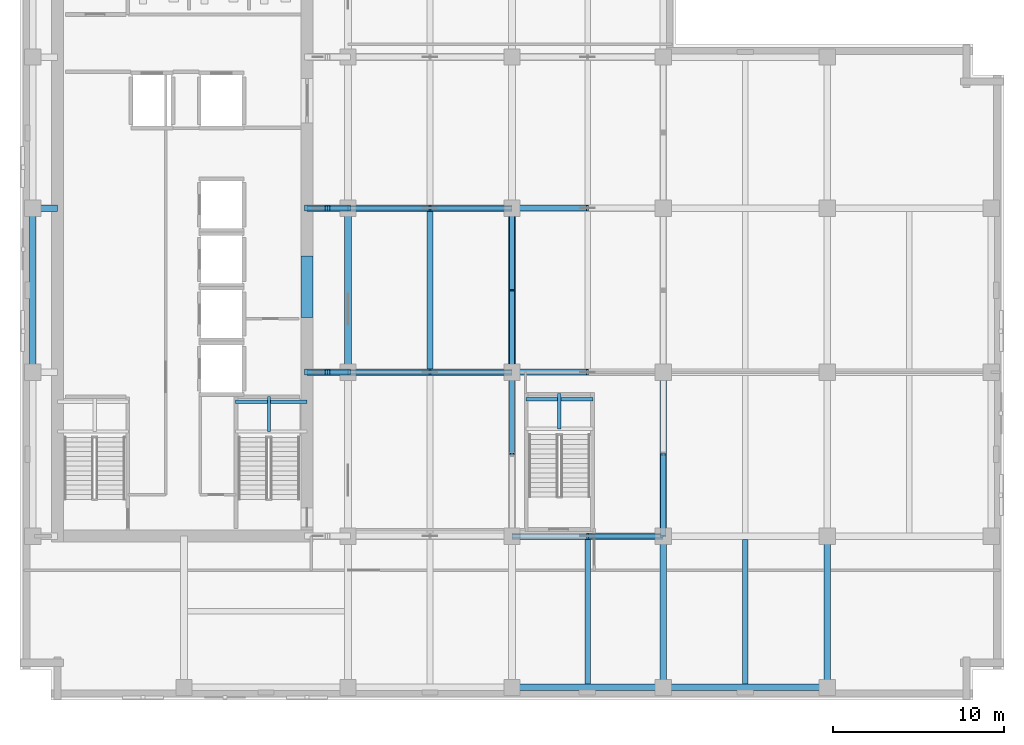
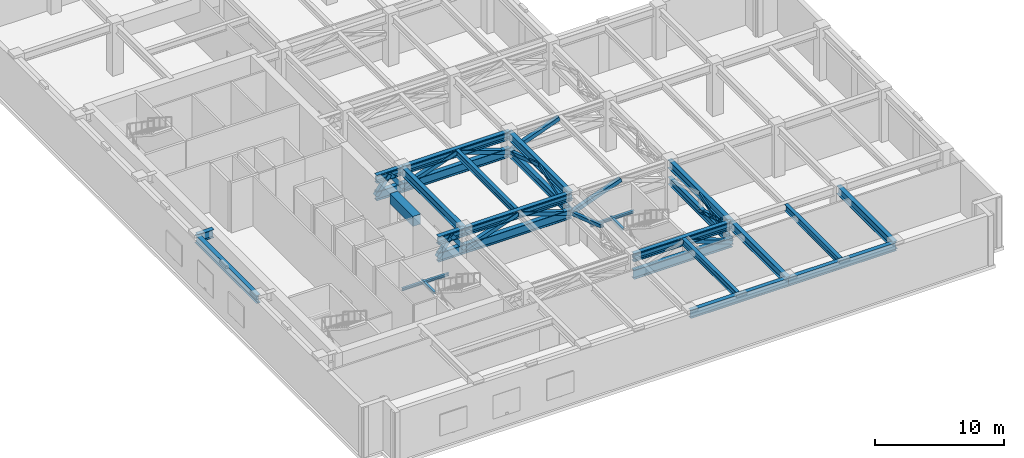
# One storey, part 3 of 21: 29 beams, 21 members.
"""IFC4 building model written with IfcOpenShell, lengths in metres."""

from ifc_helpers import new_model, si_unit, direction, frame, origin, origin_2d, place, context, subcontext, project, spatial, rectangle, hollow_rectangle, i_section, extrude, material, material_profile, profile_set, type_object, element, save


model = new_model("IFC4")

# Units and contexts
model_context = context("Model", 3, precision=1e-05, world=origin(), true_north=direction((0.0, 1.0)))
body_context = subcontext(model_context, "Body", "Model", "MODEL_VIEW")
ifc_project = project(units=[si_unit("LENGTHUNIT", "METRE"), si_unit("AREAUNIT", "SQUARE_METRE"), si_unit("VOLUMEUNIT", "CUBIC_METRE"), si_unit("PLANEANGLEUNIT", "RADIAN"), si_unit("MASSUNIT", "GRAM", prefix="KILO")], contexts=[model_context])

# Site, building, storey
site_placement = place(None, origin())
site = spatial("IfcSite", under=ifc_project, at=site_placement, CompositionType="ELEMENT")
building_placement = place(site_placement, origin())
building = spatial("IfcBuilding", under=site, at=building_placement, Name="Norrvale University Quadrangle", CompositionType="ELEMENT")
storey_placement = place(building_placement, frame((0.0, 0.0, 194.0)))
storey = spatial("IfcBuildingStorey", under=building, at=storey_placement, Name="L49", CompositionType="ELEMENT", Elevation=194.0)

# Beams
ifc_material_1 = material(Name="Steel 350W", Category="steel")
ifc_material_profile_1 = material_profile(ifc_material_1, i_section(OverallWidth=0.324951171875, OverallDepth=0.615966796875, WebThickness=0.013916015625, FlangeThickness=0.021484375, FilletRadius=0.01611328125, at=origin_2d()), Name="Steel 350W")
ifc_profile_set_1 = profile_set([ifc_material_profile_1], Name="Steel 350W")
beam_type_1 = type_object("IfcBeamType", Name="Beam Belt W610x174", PredefinedType="BEAM", material=ifc_profile_set_1)
beam_1_placement = place(storey_placement, frame((24.0, 19.390380859375, 4.431884765625), z_axis=(0.0, 1.0, 0.0), x_axis=(-1.0, 0.0, 0.0)))
element("IfcBeam", 1, at=beam_1_placement, inside=storey, type_object=beam_type_1, Name="Beam Belt W610x174 BM-L49-J071", PredefinedType="BEAM", context=body_context, shape_type="SweptSolid", body=[
    extrude(i_section(OverallWidth=0.324951171875, OverallDepth=0.615966796875, WebThickness=0.013916015625, FlangeThickness=0.021484375, FilletRadius=0.01611328125, at=origin_2d()), origin(), (0.0, 0.0, 1.0), 9.21923828125),
])
for number, where, z_axis, x_axis, name in (
    (2, (33.22509765625, 0.9404296875, 4.431884765625), (0.0, 1.0, 0.0), (-1.0, 0.0, 0.0), "Beam Belt W610x174 BM-L49-J076"),
    (3, (42.449951171875, 0.9404296875, 4.431884765625), (0.0, 1.0, 0.0), (-1.0, 0.0, 0.0), "Beam Belt W610x174 BM-L49-J081"),
):
    element("IfcBeam", number, at=place(storey_placement, frame(where, z_axis=z_axis, x_axis=x_axis)), inside=storey, type_object=beam_type_1, Name=name, PredefinedType="BEAM", context=body_context, shape_type="SweptSolid", body=[
        extrude(i_section(OverallWidth=0.324951171875, OverallDepth=0.615966796875, WebThickness=0.013916015625, FlangeThickness=0.021484375, FilletRadius=0.01611328125, at=origin_2d()), origin(), (0.0, 0.0, 1.0), 8.468994140625),
    ])
ifc_material_profile_2 = material_profile(ifc_material_1, i_section(OverallWidth=0.35498046875, OverallDepth=0.695068359375, WebThickness=0.015380859375, FlangeThickness=0.02490234375, FilletRadius=0.01806640625, at=origin_2d()), Name="Steel 350W")
ifc_profile_set_2 = profile_set([ifc_material_profile_2], Name="Steel 350W")
beam_type_2 = type_object("IfcBeamType", Name="Beam Belt W690x217", PredefinedType="BEAM", material=ifc_profile_set_2)
beam_2_placement = place(storey_placement, frame((37.64990234375, 9.60009765625, 2.75), z_axis=(0.0, 1.0, 0.0), x_axis=(-1.0, 0.0, 0.0)))
element("IfcBeam", 4, at=beam_2_placement, inside=storey, type_object=beam_type_2, Name="Belt Truss Chord L49-01", PredefinedType="BEAM", context=body_context, shape_type="SweptSolid", body=[
    extrude(i_section(OverallWidth=0.35498046875, OverallDepth=0.695068359375, WebThickness=0.015380859375, FlangeThickness=0.02490234375, FilletRadius=0.01806640625, at=origin_2d()), origin(), (0.0, 0.0, 1.0), 9.599853515625),
])
beam_3_placement = place(storey_placement, frame((28.800048828125, 19.199951171875, 2.75), z_axis=(0.0, 1.0, 0.0), x_axis=(-1.0, 0.0, 0.0)))
element("IfcBeam", 5, at=beam_3_placement, inside=storey, type_object=beam_type_2, Name="Belt Truss Chord L49-05", PredefinedType="BEAM", context=body_context, shape_type="SweptSolid", body=[
    extrude(i_section(OverallWidth=0.35498046875, OverallDepth=0.695068359375, WebThickness=0.015380859375, FlangeThickness=0.02490234375, FilletRadius=0.01806640625, at=origin_2d()), origin(), (0.0, 0.0, 1.0), 9.60009765625),
])
ifc_material_2 = material(Name="Concrete C80/95", Category="concrete")
ifc_material_profile_3 = material_profile(ifc_material_2, rectangle(XDim=0.699951171875, YDim=0.949951171875, at=origin_2d()), Name="Concrete C80/95")
ifc_profile_set_3 = profile_set([ifc_material_profile_3], Name="Concrete C80/95")
beam_type_3 = type_object("IfcBeamType", Name="Beam Core Link 700x950", PredefinedType="LINTEL", material=ifc_profile_set_3)
beam_4_placement = place(storey_placement, frame((16.800048828125, 22.39990234375, 4.264892578125), z_axis=(0.0, 1.0, 0.0), x_axis=(-1.0, 0.0, 0.0)))
element("IfcBeam", 6, at=beam_4_placement, inside=storey, type_object=beam_type_3, Name="Core Coupling Lintel Beam L49-1", PredefinedType="LINTEL", context=body_context, shape_type="SweptSolid", body=[
    extrude(rectangle(XDim=0.699951171875, YDim=0.949951171875, at=origin_2d()), origin(), (0.0, 0.0, 1.0), 3.60009765625),
])
ifc_material_profile_4 = material_profile(ifc_material_1, i_section(OverallWidth=0.381103515625, OverallDepth=0.77294921875, WebThickness=0.0166015625, FlangeThickness=0.027587890625, FilletRadius=0.02001953125, at=origin_2d()), Name="Steel 350W")
ifc_profile_set_4 = profile_set([ifc_material_profile_4], Name="Steel 350W")
beam_type_4 = type_object("IfcBeamType", Name="Beam Outrig W760x257", PredefinedType="BEAM", material=ifc_profile_set_4)
beam_5_placement = place(storey_placement, frame((28.800048828125, 0.75, 4.353515625), z_axis=(1.0, 0.0, 0.0), x_axis=(0.0, 1.0, 0.0)))
element("IfcBeam", 7, at=beam_5_placement, inside=storey, type_object=beam_type_4, Name="Beam Outrig W760x257 BM-L49-GX003", PredefinedType="BEAM", context=body_context, shape_type="SweptSolid", body=[
    extrude(i_section(OverallWidth=0.381103515625, OverallDepth=0.77294921875, WebThickness=0.0166015625, FlangeThickness=0.027587890625, FilletRadius=0.02001953125, at=origin_2d()), origin(), (0.0, 0.0, 1.0), 8.849853515625),
])
beam_6_placement = place(storey_placement, frame((37.64990234375, 0.75, 4.353515625), z_axis=(1.0, 0.0, 0.0), x_axis=(0.0, 1.0, 0.0)))
element("IfcBeam", 8, at=beam_6_placement, inside=storey, type_object=beam_type_4, Name="Beam Outrig W760x257 BM-L49-GX004", PredefinedType="BEAM", context=body_context, shape_type="SweptSolid", body=[
    extrude(i_section(OverallWidth=0.381103515625, OverallDepth=0.77294921875, WebThickness=0.0166015625, FlangeThickness=0.027587890625, FilletRadius=0.02001953125, at=origin_2d()), origin(), (0.0, 0.0, 1.0), 9.60009765625),
])
beam_7_placement = place(storey_placement, frame((28.800048828125, 9.60009765625, 4.353515625), z_axis=(1.0, 0.0, 0.0), x_axis=(0.0, 1.0, 0.0)))
element("IfcBeam", 9, at=beam_7_placement, inside=storey, type_object=beam_type_4, Name="Beam Outrig W760x257 BM-L49-GX006", PredefinedType="BEAM", context=body_context, shape_type="SweptSolid", body=[
    extrude(i_section(OverallWidth=0.381103515625, OverallDepth=0.77294921875, WebThickness=0.0166015625, FlangeThickness=0.027587890625, FilletRadius=0.02001953125, at=origin_2d()), origin(), (0.0, 0.0, 1.0), 8.849853515625),
])
for number, where, z_axis, x_axis, name in (
    (10, (19.199951171875, 19.199951171875, 4.353515625), (1.0, 0.0, 0.0), (0.0, 1.0, 0.0), "Beam Outrig W760x257 BM-L49-GX009"),
    (11, (19.199951171875, 28.800048828125, 4.353515625), (1.0, 0.0, 0.0), (0.0, 1.0, 0.0), "Beam Outrig W760x257 BM-L49-GX013"),
    (12, (0.75, 19.199951171875, 4.353515625), (0.0, 1.0, 0.0), (-1.0, 0.0, 0.0), "Beam Outrig W760x257 BM-L49-GY027"),
    (13, (19.199951171875, 19.199951171875, 4.353515625), (0.0, 1.0, 0.0), (-1.0, 0.0, 0.0), "Beam Outrig W760x257 BM-L49-GY034"),
    (14, (28.800048828125, 19.199951171875, 4.353515625), (0.0, 1.0, 0.0), (-1.0, 0.0, 0.0), "Beam Outrig W760x257 BM-L49-GY041"),
):
    element("IfcBeam", number, at=place(storey_placement, frame(where, z_axis=z_axis, x_axis=x_axis)), inside=storey, type_object=beam_type_4, Name=name, PredefinedType="BEAM", context=body_context, shape_type="SweptSolid", body=[
        extrude(i_section(OverallWidth=0.381103515625, OverallDepth=0.77294921875, WebThickness=0.0166015625, FlangeThickness=0.027587890625, FilletRadius=0.02001953125, at=origin_2d()), origin(), (0.0, 0.0, 1.0), 9.60009765625),
    ])
beam_8_placement = place(storey_placement, frame((37.64990234375, 0.75, 4.353515625), z_axis=(0.0, 1.0, 0.0), x_axis=(-1.0, 0.0, 0.0)))
element("IfcBeam", 15, at=beam_8_placement, inside=storey, type_object=beam_type_4, Name="Beam Outrig W760x257 BM-L49-GY046", PredefinedType="BEAM", context=body_context, shape_type="SweptSolid", body=[
    extrude(i_section(OverallWidth=0.381103515625, OverallDepth=0.77294921875, WebThickness=0.0166015625, FlangeThickness=0.027587890625, FilletRadius=0.02001953125, at=origin_2d()), origin(), (0.0, 0.0, 1.0), 8.85009765625),
])
beam_9_placement = place(storey_placement, frame((37.64990234375, 9.60009765625, 4.353515625), z_axis=(0.0, 1.0, 0.0), x_axis=(-1.0, 0.0, 0.0)))
element("IfcBeam", 16, at=beam_9_placement, inside=storey, type_object=beam_type_4, Name="Beam Outrig W760x257 BM-L49-GY047", PredefinedType="BEAM", context=body_context, shape_type="SweptSolid", body=[
    extrude(i_section(OverallWidth=0.381103515625, OverallDepth=0.77294921875, WebThickness=0.0166015625, FlangeThickness=0.027587890625, FilletRadius=0.02001953125, at=origin_2d()), origin(), (0.0, 0.0, 1.0), 9.599853515625),
])
beam_10_placement = place(storey_placement, frame((47.25, 0.75, 4.353515625), z_axis=(0.0, 1.0, 0.0), x_axis=(-1.0, 0.0, 0.0)))
element("IfcBeam", 17, at=beam_10_placement, inside=storey, type_object=beam_type_4, Name="Beam Outrig W760x257 BM-L49-GY052", PredefinedType="BEAM", context=body_context, shape_type="SweptSolid", body=[
    extrude(i_section(OverallWidth=0.381103515625, OverallDepth=0.77294921875, WebThickness=0.0166015625, FlangeThickness=0.027587890625, FilletRadius=0.02001953125, at=origin_2d()), origin(), (0.0, 0.0, 1.0), 8.85009765625),
])
beam_11_placement = place(storey_placement, frame((16.800048828125, 19.199951171875, 4.353515625), z_axis=(1.0, 0.0, 0.0), x_axis=(0.0, 1.0, 0.0)))
element("IfcBeam", 18, at=beam_11_placement, inside=storey, type_object=beam_type_4, Name="Beam Outrig W760x257 BM-L49-GCE061", PredefinedType="BEAM", context=body_context, shape_type="SweptSolid", body=[
    extrude(i_section(OverallWidth=0.381103515625, OverallDepth=0.77294921875, WebThickness=0.0166015625, FlangeThickness=0.027587890625, FilletRadius=0.02001953125, at=origin_2d()), origin(), (0.0, 0.0, 1.0), 2.39990234375),
])
beam_12_placement = place(storey_placement, frame((0.75, 28.800048828125, 4.353515625), z_axis=(1.0, 0.0, 0.0), x_axis=(0.0, 1.0, 0.0)))
element("IfcBeam", 19, at=beam_12_placement, inside=storey, type_object=beam_type_4, Name="Beam Outrig W760x257 BM-L49-GCW062", PredefinedType="BEAM", context=body_context, shape_type="SweptSolid", body=[
    extrude(i_section(OverallWidth=0.381103515625, OverallDepth=0.77294921875, WebThickness=0.0166015625, FlangeThickness=0.027587890625, FilletRadius=0.02001953125, at=origin_2d()), origin(), (0.0, 0.0, 1.0), 1.449951171875),
])
beam_13_placement = place(storey_placement, frame((16.800048828125, 28.800048828125, 4.353515625), z_axis=(1.0, 0.0, 0.0), x_axis=(0.0, 1.0, 0.0)))
element("IfcBeam", 20, at=beam_13_placement, inside=storey, type_object=beam_type_4, Name="Beam Outrig W760x257 BM-L49-GCE063", PredefinedType="BEAM", context=body_context, shape_type="SweptSolid", body=[
    extrude(i_section(OverallWidth=0.381103515625, OverallDepth=0.77294921875, WebThickness=0.0166015625, FlangeThickness=0.027587890625, FilletRadius=0.02001953125, at=origin_2d()), origin(), (0.0, 0.0, 1.0), 2.39990234375),
])
ifc_material_profile_5 = material_profile(ifc_material_1, i_section(OverallWidth=0.39990234375, OverallDepth=0.85498046875, WebThickness=0.018310546875, FlangeThickness=0.029296875, FilletRadius=0.02197265625, at=origin_2d()), Name="Steel 350W")
ifc_profile_set_5 = profile_set([ifc_material_profile_5], Name="Steel 350W")
beam_type_5 = type_object("IfcBeamType", Name="Beam Outrig W840x299", PredefinedType="BEAM", material=ifc_profile_set_5)
beam_14_placement = place(storey_placement, frame((28.800048828125, 9.60009765625, 2.75), z_axis=(1.0, 0.0, 0.0), x_axis=(0.0, 1.0, 0.0)))
element("IfcBeam", 21, at=beam_14_placement, inside=storey, type_object=beam_type_5, Name="Outrigger Bottom Chord L49-1.3", PredefinedType="BEAM", context=body_context, shape_type="SweptSolid", body=[
    extrude(i_section(OverallWidth=0.39990234375, OverallDepth=0.85498046875, WebThickness=0.018310546875, FlangeThickness=0.029296875, FilletRadius=0.02197265625, at=origin_2d()), origin(), (0.0, 0.0, 1.0), 8.849853515625),
])
beam_15_placement = place(storey_placement, frame((16.800048828125, 19.199951171875, 2.75), z_axis=(1.0, 0.0, 0.0), x_axis=(0.0, 1.0, 0.0)))
element("IfcBeam", 22, at=beam_15_placement, inside=storey, type_object=beam_type_5, Name="Outrigger Bottom Chord L49-2.1", PredefinedType="BEAM", context=body_context, shape_type="SweptSolid", body=[
    extrude(i_section(OverallWidth=0.39990234375, OverallDepth=0.85498046875, WebThickness=0.018310546875, FlangeThickness=0.029296875, FilletRadius=0.02197265625, at=origin_2d()), origin(), (0.0, 0.0, 1.0), 2.39990234375),
])
beam_16_placement = place(storey_placement, frame((19.199951171875, 19.199951171875, 2.75), z_axis=(1.0, 0.0, 0.0), x_axis=(0.0, 1.0, 0.0)))
element("IfcBeam", 23, at=beam_16_placement, inside=storey, type_object=beam_type_5, Name="Outrigger Bottom Chord L49-2.2", PredefinedType="BEAM", context=body_context, shape_type="SweptSolid", body=[
    extrude(i_section(OverallWidth=0.39990234375, OverallDepth=0.85498046875, WebThickness=0.018310546875, FlangeThickness=0.029296875, FilletRadius=0.02197265625, at=origin_2d()), origin(), (0.0, 0.0, 1.0), 9.60009765625),
])
beam_17_placement = place(storey_placement, frame((16.800048828125, 28.800048828125, 2.75), z_axis=(1.0, 0.0, 0.0), x_axis=(0.0, 1.0, 0.0)))
element("IfcBeam", 24, at=beam_17_placement, inside=storey, type_object=beam_type_5, Name="Outrigger Bottom Chord L49-3.1", PredefinedType="BEAM", context=body_context, shape_type="SweptSolid", body=[
    extrude(i_section(OverallWidth=0.39990234375, OverallDepth=0.85498046875, WebThickness=0.018310546875, FlangeThickness=0.029296875, FilletRadius=0.02197265625, at=origin_2d()), origin(), (0.0, 0.0, 1.0), 2.39990234375),
])
beam_18_placement = place(storey_placement, frame((19.199951171875, 28.800048828125, 2.75), z_axis=(1.0, 0.0, 0.0), x_axis=(0.0, 1.0, 0.0)))
element("IfcBeam", 25, at=beam_18_placement, inside=storey, type_object=beam_type_5, Name="Outrigger Bottom Chord L49-3.2", PredefinedType="BEAM", context=body_context, shape_type="SweptSolid", body=[
    extrude(i_section(OverallWidth=0.39990234375, OverallDepth=0.85498046875, WebThickness=0.018310546875, FlangeThickness=0.029296875, FilletRadius=0.02197265625, at=origin_2d()), origin(), (0.0, 0.0, 1.0), 9.60009765625),
])
ifc_material_profile_6 = material_profile(ifc_material_1, i_section(OverallWidth=0.201904296875, OverallDepth=0.2470703125, WebThickness=0.00732421875, FlangeThickness=0.010986328125, FilletRadius=0.011962890625, at=origin_2d()), Name="Steel 350W")
ifc_profile_set_6 = profile_set([ifc_material_profile_6], Name="Steel 350W")
beam_type_6 = type_object("IfcBeamType", Name="Beam Stair W250x49", PredefinedType="BEAM", material=ifc_profile_set_6)
beam_19_placement = place(storey_placement, frame((12.610107421875, 17.469970703125, 2.176513671875), z_axis=(1.0, 0.0, 0.0), x_axis=(0.0, 1.0, 0.0)))
element("IfcBeam", 26, at=beam_19_placement, inside=storey, type_object=beam_type_6, Name="Stair Mid-Landing Rear Beam ST-03 L49", PredefinedType="BEAM", context=body_context, shape_type="SweptSolid", body=[
    extrude(i_section(OverallWidth=0.201904296875, OverallDepth=0.2470703125, WebThickness=0.00732421875, FlangeThickness=0.010986328125, FilletRadius=0.011962890625, at=origin_2d()), origin(), (0.0, 0.0, 1.0), 4.18994140625),
])
beam_20_placement = place(storey_placement, frame((29.610107421875, 17.6201171875, 2.176513671875), z_axis=(1.0, 0.0, 0.0), x_axis=(0.0, 1.0, 0.0)))
element("IfcBeam", 27, at=beam_20_placement, inside=storey, type_object=beam_type_6, Name="Stair Mid-Landing Rear Beam ST-04 L49", PredefinedType="BEAM", context=body_context, shape_type="SweptSolid", body=[
    extrude(i_section(OverallWidth=0.201904296875, OverallDepth=0.2470703125, WebThickness=0.00732421875, FlangeThickness=0.010986328125, FilletRadius=0.011962890625, at=origin_2d()), origin(), (0.0, 0.0, 1.0), 3.929931640625),
])
ifc_material_profile_7 = material_profile(ifc_material_1, i_section(OverallWidth=0.202880859375, OverallDepth=0.202880859375, WebThickness=0.007080078125, FlangeThickness=0.010986328125, FilletRadius=0.010009765625, at=origin_2d()), Name="Steel 350W")
ifc_profile_set_7 = profile_set([ifc_material_profile_7], Name="Steel 350W")
beam_type_7 = type_object("IfcBeamType", Name="Beam Trim W200x46", PredefinedType="BEAM", material=ifc_profile_set_7)
for number, where, z_axis, x_axis, name in (
    (28, (14.574951171875, 15.72998046875, 2.198486328125), (0.0, 1.0, 0.0), (-1.0, 0.0, 0.0), "Stair Mid-Landing Cross Beam ST-03 L49"),
    (29, (31.574951171875, 15.8798828125, 2.198486328125), (0.0, 1.0, 0.0), (-1.0, 0.0, 0.0), "Stair Mid-Landing Cross Beam ST-04 L49"),
):
    element("IfcBeam", number, at=place(storey_placement, frame(where, z_axis=z_axis, x_axis=x_axis)), inside=storey, type_object=beam_type_7, Name=name, PredefinedType="BEAM", context=body_context, shape_type="SweptSolid", body=[
        extrude(i_section(OverallWidth=0.202880859375, OverallDepth=0.202880859375, WebThickness=0.007080078125, FlangeThickness=0.010986328125, FilletRadius=0.010009765625, at=origin_2d()), origin(), (0.0, 0.0, 1.0), 2.06005859375),
    ])

# Members
ifc_material_profile_8 = material_profile(ifc_material_1, hollow_rectangle(XDim=0.304931640625, YDim=0.304931640625, WallThickness=0.012939453125, at=origin_2d()), Name="Steel 350W")
ifc_profile_set_8 = profile_set([ifc_material_profile_8], Name="Steel 350W")
member_type_1 = type_object("IfcMemberType", Name="Member Belt Diag HSS305", PredefinedType="BRACE", material=ifc_profile_set_8)
member_1_placement = place(storey_placement, frame((37.64990234375, 9.60009765625, 2.75), z_axis=(0.0, 0.94629347716, 0.323308915874), x_axis=(-1.0, 0.0, 0.0)))
element("IfcMember", 30, at=member_1_placement, inside=storey, type_object=member_type_1, Name="Belt Truss Brace L49-01A", PredefinedType="BRACE", context=body_context, shape_type="SweptSolid", body=[
    extrude(hollow_rectangle(XDim=0.304931640625, YDim=0.304931640625, WallThickness=0.012939453125, at=origin_2d()), origin(), (0.0, 0.0, 1.0), 5.072265625),
])
for number, where, z_axis, x_axis, name in (
    (31, (28.800048828125, 19.199951171875, 2.75), (0.0, -0.946298508087, 0.32329419047), (1.0, 0.0, 0.0), "Belt Truss Brace L49-04B"),
    (32, (28.800048828125, 19.199951171875, 2.75), (0.0, 0.946298508087, 0.32329419047), (-1.0, 0.0, 0.0), "Belt Truss Brace L49-05A"),
    (33, (28.800048828125, 28.800048828125, 2.75), (0.0, -0.946298508087, 0.32329419047), (1.0, 0.0, 0.0), "Belt Truss Brace L49-05B"),
):
    element("IfcMember", number, at=place(storey_placement, frame(where, z_axis=z_axis, x_axis=x_axis)), inside=storey, type_object=member_type_1, Name=name, PredefinedType="BRACE", context=body_context, shape_type="SweptSolid", body=[
        extrude(hollow_rectangle(XDim=0.304931640625, YDim=0.304931640625, WallThickness=0.012939453125, at=origin_2d()), origin(), (0.0, 0.0, 1.0), 5.072509765625),
    ])
ifc_material_profile_9 = material_profile(ifc_material_1, hollow_rectangle(XDim=0.202880859375, YDim=0.304931640625, WallThickness=0.012939453125, at=origin_2d()), Name="Steel 350W")
ifc_profile_set_9 = profile_set([ifc_material_profile_9], Name="Steel 350W")
member_type_2 = type_object("IfcMemberType", Name="Member Chord HSS305x203", PredefinedType="CHORD", material=ifc_profile_set_9)
member_2_placement = place(storey_placement, frame((28.800048828125, 9.60009765625, 4.389892578125), z_axis=(1.0, 0.0, 0.0), x_axis=(0.0, 1.0, 0.0)))
element("IfcMember", 34, at=member_2_placement, inside=storey, type_object=member_type_2, Name="Outrigger Top Chord L49-1.3", PredefinedType="CHORD", context=body_context, shape_type="SweptSolid", body=[
    extrude(hollow_rectangle(XDim=0.202880859375, YDim=0.304931640625, WallThickness=0.012939453125, at=origin_2d()), origin(), (0.0, 0.0, 1.0), 8.849853515625),
])
member_3_placement = place(storey_placement, frame((16.800048828125, 19.199951171875, 4.389892578125), z_axis=(1.0, 0.0, 0.0), x_axis=(0.0, 1.0, 0.0)))
element("IfcMember", 35, at=member_3_placement, inside=storey, type_object=member_type_2, Name="Outrigger Top Chord L49-2.1", PredefinedType="CHORD", context=body_context, shape_type="SweptSolid", body=[
    extrude(hollow_rectangle(XDim=0.202880859375, YDim=0.304931640625, WallThickness=0.012939453125, at=origin_2d()), origin(), (0.0, 0.0, 1.0), 2.39990234375),
])
member_4_placement = place(storey_placement, frame((19.199951171875, 19.199951171875, 4.389892578125), z_axis=(1.0, 0.0, 0.0), x_axis=(0.0, 1.0, 0.0)))
element("IfcMember", 36, at=member_4_placement, inside=storey, type_object=member_type_2, Name="Outrigger Top Chord L49-2.2", PredefinedType="CHORD", context=body_context, shape_type="SweptSolid", body=[
    extrude(hollow_rectangle(XDim=0.202880859375, YDim=0.304931640625, WallThickness=0.012939453125, at=origin_2d()), origin(), (0.0, 0.0, 1.0), 9.60009765625),
])
member_5_placement = place(storey_placement, frame((16.800048828125, 28.800048828125, 4.389892578125), z_axis=(1.0, 0.0, 0.0), x_axis=(0.0, 1.0, 0.0)))
element("IfcMember", 37, at=member_5_placement, inside=storey, type_object=member_type_2, Name="Outrigger Top Chord L49-3.1", PredefinedType="CHORD", context=body_context, shape_type="SweptSolid", body=[
    extrude(hollow_rectangle(XDim=0.202880859375, YDim=0.304931640625, WallThickness=0.012939453125, at=origin_2d()), origin(), (0.0, 0.0, 1.0), 2.39990234375),
])
member_6_placement = place(storey_placement, frame((19.199951171875, 28.800048828125, 4.389892578125), z_axis=(1.0, 0.0, 0.0), x_axis=(0.0, 1.0, 0.0)))
element("IfcMember", 38, at=member_6_placement, inside=storey, type_object=member_type_2, Name="Outrigger Top Chord L49-3.2", PredefinedType="CHORD", context=body_context, shape_type="SweptSolid", body=[
    extrude(hollow_rectangle(XDim=0.202880859375, YDim=0.304931640625, WallThickness=0.012939453125, at=origin_2d()), origin(), (0.0, 0.0, 1.0), 9.60009765625),
])
ifc_material_profile_10 = material_profile(ifc_material_1, hollow_rectangle(XDim=0.35595703125, YDim=0.35595703125, WallThickness=0.01611328125, at=origin_2d()), Name="Steel 350W")
ifc_profile_set_10 = profile_set([ifc_material_profile_10], Name="Steel 350W")
member_type_3 = type_object("IfcMemberType", Name="Member Outrig Diag HSS356", PredefinedType="BRACE", material=ifc_profile_set_10)
member_7_placement = place(storey_placement, frame((37.64990234375, 9.60009765625, 2.75), z_axis=(-0.937674473211, 0.0, 0.347514866285), x_axis=(0.0, -1.0, 0.0)))
element("IfcMember", 39, at=member_7_placement, inside=storey, type_object=member_type_3, Name="Outrigger Truss Diagonal L49-1.3B", PredefinedType="BRACE", context=body_context, shape_type="SweptSolid", body=[
    extrude(hollow_rectangle(XDim=0.35595703125, YDim=0.35595703125, WallThickness=0.01611328125, at=origin_2d()), origin(), (0.0, 0.0, 1.0), 4.718994140625),
])
for number, where, z_axis, x_axis, name in (
    (40, (16.800048828125, 19.199951171875, 2.75), (0.59051953716, 0.0, 0.807023343053), (0.0, 1.0, 0.0), "Outrigger Truss Diagonal L49-2.1A"),
    (41, (19.199951171875, 19.199951171875, 2.75), (-0.59051953716, 0.0, 0.807023343053), (0.0, -1.0, 0.0), "Outrigger Truss Diagonal L49-2.1B"),
):
    element("IfcMember", number, at=place(storey_placement, frame(where, z_axis=z_axis, x_axis=x_axis)), inside=storey, type_object=member_type_3, Name=name, PredefinedType="BRACE", context=body_context, shape_type="SweptSolid", body=[
        extrude(hollow_rectangle(XDim=0.35595703125, YDim=0.35595703125, WallThickness=0.01611328125, at=origin_2d()), origin(), (0.0, 0.0, 1.0), 2.031982421875),
    ])
for number, where, z_axis, x_axis, name in (
    (42, (19.199951171875, 19.199951171875, 2.75), (0.946298508087, 0.0, 0.32329419047), (0.0, 1.0, 0.0), "Outrigger Truss Diagonal L49-2.2A"),
    (43, (28.800048828125, 19.199951171875, 2.75), (-0.946298508087, 0.0, 0.32329419047), (0.0, -1.0, 0.0), "Outrigger Truss Diagonal L49-2.2B"),
):
    element("IfcMember", number, at=place(storey_placement, frame(where, z_axis=z_axis, x_axis=x_axis)), inside=storey, type_object=member_type_3, Name=name, PredefinedType="BRACE", context=body_context, shape_type="SweptSolid", body=[
        extrude(hollow_rectangle(XDim=0.35595703125, YDim=0.35595703125, WallThickness=0.01611328125, at=origin_2d()), origin(), (0.0, 0.0, 1.0), 5.072509765625),
    ])
member_8_placement = place(storey_placement, frame((28.800048828125, 19.199951171875, 2.75), z_axis=(0.937680720811, 0.0, 0.347498008369), x_axis=(0.0, 1.0, 0.0)))
element("IfcMember", 44, at=member_8_placement, inside=storey, type_object=member_type_3, Name="Outrigger Truss Diagonal L49-2.3A", PredefinedType="BRACE", context=body_context, shape_type="SweptSolid", body=[
    extrude(hollow_rectangle(XDim=0.35595703125, YDim=0.35595703125, WallThickness=0.01611328125, at=origin_2d()), origin(), (0.0, 0.0, 1.0), 4.71923828125),
])
for number, where, z_axis, x_axis, name in (
    (45, (16.800048828125, 28.800048828125, 2.75), (0.59051953716, 0.0, 0.807023343053), (0.0, 1.0, 0.0), "Outrigger Truss Diagonal L49-3.1A"),
    (46, (19.199951171875, 28.800048828125, 2.75), (-0.59051953716, 0.0, 0.807023343053), (0.0, -1.0, 0.0), "Outrigger Truss Diagonal L49-3.1B"),
):
    element("IfcMember", number, at=place(storey_placement, frame(where, z_axis=z_axis, x_axis=x_axis)), inside=storey, type_object=member_type_3, Name=name, PredefinedType="BRACE", context=body_context, shape_type="SweptSolid", body=[
        extrude(hollow_rectangle(XDim=0.35595703125, YDim=0.35595703125, WallThickness=0.01611328125, at=origin_2d()), origin(), (0.0, 0.0, 1.0), 2.031982421875),
    ])
for number, where, z_axis, x_axis, name in (
    (47, (19.199951171875, 28.800048828125, 2.75), (0.946298508087, 0.0, 0.32329419047), (0.0, 1.0, 0.0), "Outrigger Truss Diagonal L49-3.2A"),
    (48, (28.800048828125, 28.800048828125, 2.75), (-0.946298508087, 0.0, 0.32329419047), (0.0, -1.0, 0.0), "Outrigger Truss Diagonal L49-3.2B"),
):
    element("IfcMember", number, at=place(storey_placement, frame(where, z_axis=z_axis, x_axis=x_axis)), inside=storey, type_object=member_type_3, Name=name, PredefinedType="BRACE", context=body_context, shape_type="SweptSolid", body=[
        extrude(hollow_rectangle(XDim=0.35595703125, YDim=0.35595703125, WallThickness=0.01611328125, at=origin_2d()), origin(), (0.0, 0.0, 1.0), 5.072509765625),
    ])
member_9_placement = place(storey_placement, frame((28.800048828125, 28.800048828125, 2.75), z_axis=(0.937680720811, 0.0, 0.347498008369), x_axis=(0.0, 1.0, 0.0)))
element("IfcMember", 49, at=member_9_placement, inside=storey, type_object=member_type_3, Name="Outrigger Truss Diagonal L49-3.3A", PredefinedType="BRACE", context=body_context, shape_type="SweptSolid", body=[
    extrude(hollow_rectangle(XDim=0.35595703125, YDim=0.35595703125, WallThickness=0.01611328125, at=origin_2d()), origin(), (0.0, 0.0, 1.0), 4.71923828125),
])
ifc_material_profile_11 = material_profile(ifc_material_1, i_section(OverallWidth=0.30908203125, OverallDepth=0.322998046875, WebThickness=0.01318359375, FlangeThickness=0.02294921875, FilletRadius=0.014892578125, at=origin_2d()), Name="Steel 350W")
ifc_profile_set_11 = profile_set([ifc_material_profile_11], Name="Steel 350W")
member_type_4 = type_object("IfcMemberType", Name="Member Tie W310x143", PredefinedType="BRACE", material=ifc_profile_set_11)
member_10_placement = place(storey_placement, frame((37.64990234375, 9.60009765625, 4.389892578125), z_axis=(0.0, 0.94629347716, -0.323308915874), x_axis=(-1.0, 0.0, 0.0)))
element("IfcMember", 50, at=member_10_placement, inside=storey, type_object=member_type_4, Name="Belt Truss Tie Brace L49-01", PredefinedType="BRACE", context=body_context, shape_type="SweptSolid", body=[
    extrude(i_section(OverallWidth=0.30908203125, OverallDepth=0.322998046875, WebThickness=0.01318359375, FlangeThickness=0.02294921875, FilletRadius=0.014892578125, at=origin_2d()), origin(), (0.0, 0.0, 1.0), 5.072265625),
])

save(model, "model.ifc")
